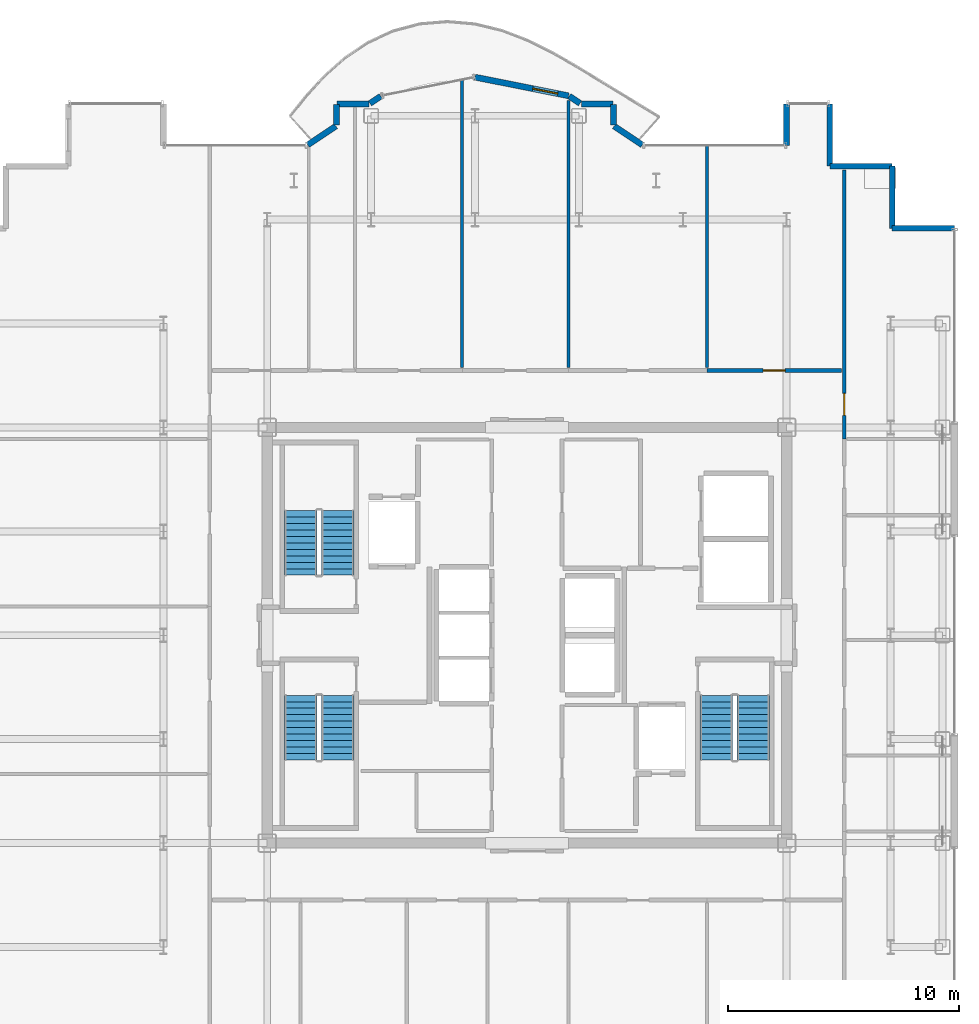
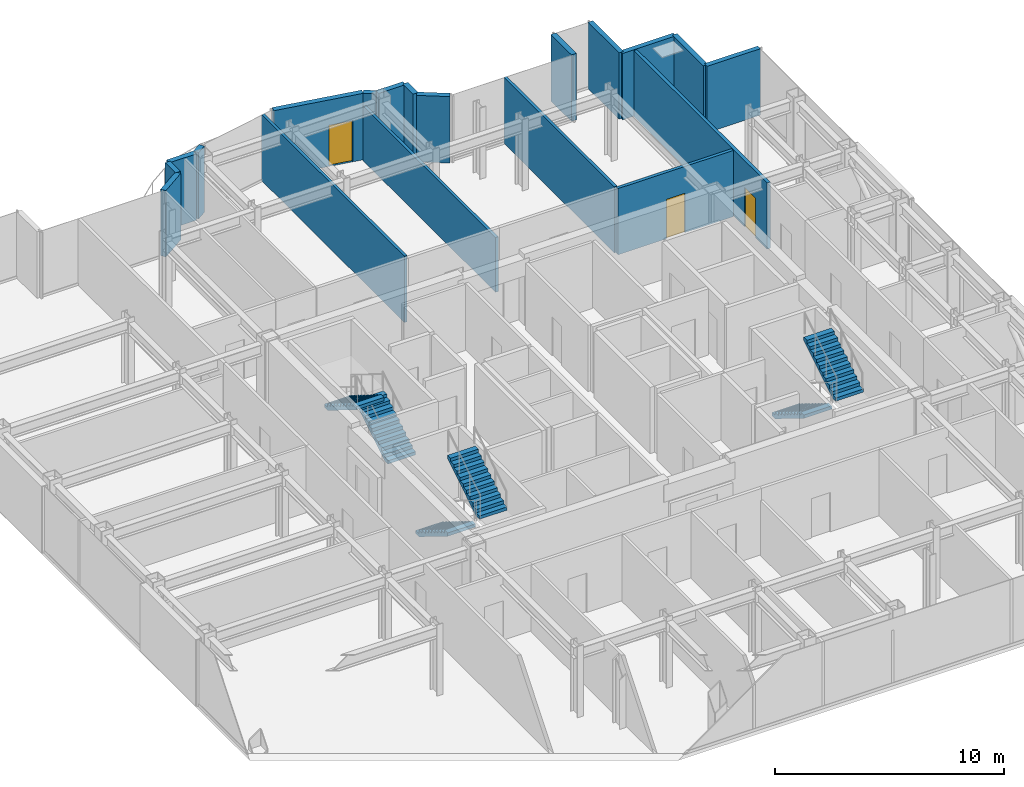
# One storey, part 15 of 16: 19 walls, 6 stair flights, 3 doors, 3 openings, 3 elements without a shape of their own.
"""IFC4 building model written with IfcOpenShell, lengths in metres."""

from ifc_helpers import new_model, si_unit, direction, frame, frame_2d, origin, place, context, subcontext, project, spatial, polyline, rectangle, outline, extrude, source, transform, mapped, material, layer, layer_set, type_object, element, fill, aggregate, save


model = new_model("IFC4")

# Units and contexts
model_context = context("Model", 3, precision=1e-05, world=origin(), true_north=direction((0.0, 1.0)))
body_context = subcontext(model_context, "Body", "Model", "MODEL_VIEW")
ifc_project = project(units=[si_unit("LENGTHUNIT", "METRE"), si_unit("AREAUNIT", "SQUARE_METRE"), si_unit("VOLUMEUNIT", "CUBIC_METRE"), si_unit("PLANEANGLEUNIT", "RADIAN"), si_unit("MASSUNIT", "GRAM", prefix="KILO")], contexts=[model_context])

# Site, building, storey
site_placement = place(None, origin())
site = spatial("IfcSite", under=ifc_project, at=site_placement, CompositionType="ELEMENT")
building_placement = place(site_placement, origin())
building = spatial("IfcBuilding", under=site, at=building_placement, Name="Nefas-Gora Pilgrimage Tower", CompositionType="ELEMENT")
storey_placement = place(building_placement, frame((0.0, 0.0, 287.39990234375)))
storey = spatial("IfcBuildingStorey", under=building, at=storey_placement, Name="L72", CompositionType="ELEMENT", Elevation=287.39990234375)

# Walls
ifc_material_1 = material(Name="Precast concrete C40/50", Category="concrete")
ifc_layer_1 = layer(ifc_material_1, 0.260009765625)
ifc_layer_set_1 = layer_set([ifc_layer_1], Name="Precast concrete C40/50")
wall_type_1 = type_object("IfcWallType", Name="EW-PORTAL-260", PredefinedType="SOLIDWALL", material=ifc_layer_set_1)
shared_shape_1 = source(origin(), body_context, "Body", "SweptSolid", [
    extrude(rectangle(XDim=1.800048828125, YDim=0.260009765625, at=frame_2d((0.89990234375, 0.0))), origin(), (0.0, 0.0, 1.0), 3.550048828125),
])
wall_1_placement = place(storey_placement, frame((11.25, 23.02001953125, 0.0), z_axis=(0.0, 0.0, 1.0), x_axis=(0.0, -1.0, 0.0)))
element("IfcWall", 1, at=wall_1_placement, inside=storey, type_object=wall_type_1, Name="L72 Lobe Shoulder Precast Spandrel Pier 10", PredefinedType="SOLIDWALL", context=body_context, shape_type="MappedRepresentation", body=[
    mapped(shared_shape_1, transform((0.0, 0.0, 0.0), x_axis=(1.0, 0.0, 0.0), y_axis=(0.0, 1.0, 0.0), z_axis=(0.0, 0.0, 1.0), scale=1.0)),
])
ifc_material_2 = material(Name="Precast concrete C45/55", Category="concrete")
ifc_layer_2 = layer(ifc_material_2, 0.239990234375)
ifc_layer_set_2 = layer_set([ifc_layer_2], Name="Precast concrete C45/55")
wall_type_2 = type_object("IfcWallType", Name="EW-SERR-240", PredefinedType="SHEAR", material=ifc_layer_set_2)
shared_shape_2 = source(origin(), body_context, "Body", "SweptSolid", [
    extrude(rectangle(XDim=2.699951171875, YDim=0.239990234375, at=frame_2d((1.35009765625, 0.0))), origin(), (0.0, 0.0, 1.0), 3.550048828125),
])
for number, where, z_axis, x_axis, name in (
    (2, (18.52001953125, 17.6201171875, 0.0), (0.0, 0.0, 1.0), (-1.0, 0.0, 0.0), "L72 Serrated Corner Shear Pier Wall 6"),
    (3, (15.820068359375, 17.6201171875, 0.0), (0.0, 0.0, 1.0), (0.0, 1.0, 0.0), "L72 Serrated Corner Shear Pier Wall 7"),
    (4, (15.820068359375, 20.320068359375, 0.0), (0.0, 0.0, 1.0), (-1.0, 0.0, 0.0), "L72 Serrated Corner Shear Pier Wall 8"),
    (5, (13.1201171875, 20.320068359375, 0.0), (0.0, 0.0, 1.0), (0.0, 1.0, 0.0), "L72 Serrated Corner Shear Pier Wall 9"),
):
    element("IfcWall", number, at=place(storey_placement, frame(where, z_axis=z_axis, x_axis=x_axis)), inside=storey, type_object=wall_type_2, Name=name, PredefinedType="SHEAR", context=body_context, shape_type="MappedRepresentation", body=[
        mapped(shared_shape_2, transform((0.0, 0.0, 0.0), x_axis=(1.0, 0.0, 0.0), y_axis=(0.0, 1.0, 0.0), z_axis=(0.0, 0.0, 1.0), scale=1.0)),
    ])
shared_shape_3 = source(origin(), body_context, "Body", "SweptSolid", [
    extrude(rectangle(XDim=1.468994140625, YDim=0.260009765625, at=frame_2d((0.734375, 0.0))), origin(), (0.0, 0.0, 1.0), 3.550048828125),
])
for number, where, z_axis, x_axis, name in (
    (6, (4.99462890625, 21.235595703125, 0.0), (0.0, 0.0, 1.0), (-0.831461760506, 0.555581983884, 0.0), "L72 Lobe Shoulder Precast Spandrel Pier 11"),
    (7, (-8.273193359375, 22.0517578125, 0.0), (0.0, 0.0, 1.0), (-0.831461760506, -0.555581983884, 0.0), "L72 Lobe Shoulder Precast Spandrel Pier 19"),
):
    element("IfcWall", number, at=place(storey_placement, frame(where, z_axis=z_axis, x_axis=x_axis)), inside=storey, type_object=wall_type_1, Name=name, PredefinedType="SOLIDWALL", context=body_context, shape_type="MappedRepresentation", body=[
        mapped(shared_shape_3, transform((0.0, 0.0, 0.0), x_axis=(1.0, 0.0, 0.0), y_axis=(0.0, 1.0, 0.0), z_axis=(0.0, 0.0, 1.0), scale=1.0)),
    ])
shared_shape_4 = source(origin(), body_context, "Body", "SweptSolid", [
    extrude(rectangle(XDim=0.896728515625, YDim=0.260009765625, at=frame_2d((0.4482421875, 0.0))), origin(), (0.0, 0.0, 1.0), 3.550048828125),
])
for number, where, z_axis, x_axis, name in (
    (8, (3.75, 22.09521484375, 0.0), (0.0, 0.0, 1.0), (0.0, 1.0, 0.0), "L72 Lobe Shoulder Precast Spandrel Pier 12"),
    (9, (-8.25, 22.991943359375, 0.0), (0.0, 0.0, 1.0), (0.0, -1.0, 0.0), "L72 Lobe Shoulder Precast Spandrel Pier 18"),
):
    element("IfcWall", number, at=place(storey_placement, frame(where, z_axis=z_axis, x_axis=x_axis)), inside=storey, type_object=wall_type_1, Name=name, PredefinedType="SOLIDWALL", context=body_context, shape_type="MappedRepresentation", body=[
        mapped(shared_shape_4, transform((0.0, 0.0, 0.0), x_axis=(1.0, 0.0, 0.0), y_axis=(0.0, 1.0, 0.0), z_axis=(0.0, 0.0, 1.0), scale=1.0)),
    ])
shared_shape_5 = source(origin(), body_context, "Body", "SweptSolid", [
    extrude(rectangle(XDim=1.369873046875, YDim=0.260009765625, at=frame_2d((0.68505859375, 0.0))), origin(), (0.0, 0.0, 1.0), 3.550048828125),
])
for number, where, z_axis, x_axis, name in (
    (10, (3.721923828125, 23.02001953125, 0.0), (0.0, 0.0, 1.0), (-1.0, 0.0, 0.0), "L72 Lobe Shoulder Precast Spandrel Pier 13"),
    (11, (-6.85205078125, 23.02001953125, 0.0), (0.0, 0.0, 1.0), (-1.0, 0.0, 0.0), "L72 Lobe Shoulder Precast Spandrel Pier 17"),
):
    element("IfcWall", number, at=place(storey_placement, frame(where, z_axis=z_axis, x_axis=x_axis)), inside=storey, type_object=wall_type_1, Name=name, PredefinedType="SOLIDWALL", context=body_context, shape_type="MappedRepresentation", body=[
        mapped(shared_shape_5, transform((0.0, 0.0, 0.0), x_axis=(1.0, 0.0, 0.0), y_axis=(0.0, 1.0, 0.0), z_axis=(0.0, 0.0, 1.0), scale=1.0)),
    ])
shared_shape_6 = source(origin(), body_context, "Body", "SweptSolid", [
    extrude(rectangle(XDim=0.5654296875, YDim=0.260009765625, at=frame_2d((0.28271484375, 0.0))), origin(), (0.0, 0.0, 1.0), 3.550048828125),
])
for number, where, z_axis, x_axis, name in (
    (12, (2.30078125, 23.03564453125, 0.0), (0.0, 0.0, 1.0), (-0.831651492666, 0.555297933317, 0.0), "L72 Lobe Shoulder Precast Spandrel Pier 14"),
    (13, (-6.33056640625, 23.349609375, 0.0), (0.0, 0.0, 1.0), (-0.831651492666, -0.555297933317, 0.0), "L72 Lobe Shoulder Precast Spandrel Pier 16"),
):
    element("IfcWall", number, at=place(storey_placement, frame(where, z_axis=z_axis, x_axis=x_axis)), inside=storey, type_object=wall_type_1, Name=name, PredefinedType="SOLIDWALL", context=body_context, shape_type="MappedRepresentation", body=[
        mapped(shared_shape_6, transform((0.0, 0.0, 0.0), x_axis=(1.0, 0.0, 0.0), y_axis=(0.0, 1.0, 0.0), z_axis=(0.0, 0.0, 1.0), scale=1.0)),
    ])

# Wall, opening, door
shared_shape_7 = source(origin(), body_context, "Body", "SweptSolid", [
    extrude(rectangle(XDim=4.136962890625, YDim=0.260009765625, at=frame_2d((2.068359375, 0.0))), origin(), (0.0, 0.0, 1.0), 3.550048828125),
])
wall_2_placement = place(storey_placement, frame((1.807373046875, 23.365234375, 0.0), z_axis=(0.0, 0.0, 1.0), x_axis=(-0.980782170794, 0.195105954428, 0.0)))
wall_2 = element("IfcWall", 14, at=wall_2_placement, inside=storey, type_object=wall_type_1, Name="L72 Insulated Terrace Portal Wall 15", PredefinedType="SOLIDWALL", context=body_context, shape_type="MappedRepresentation", body=[
    mapped(shared_shape_7, transform((0.0, 0.0, 0.0), x_axis=(1.0, 0.0, 0.0), y_axis=(0.0, 1.0, 0.0), z_axis=(0.0, 0.0, 1.0), scale=1.0)),
])
opening_1_placement = place(wall_2_placement, frame((0.48779296875, 0.0, 0.0)))
opening_1 = element("IfcOpeningElement", 15, at=opening_1_placement, cuts=wall_2, Name="Opening ED-B1", PredefinedType="OPENING", context=body_context, shape_type="SweptSolid", body=[
    extrude(rectangle(XDim=1.10009765625, YDim=2.199951171875, at=frame_2d((0.550048828125, 1.10009765625))), frame((0.0, 0.139892578125, 0.0), z_axis=(0.0, -1.0, 0.0), x_axis=(1.0, 0.0, 0.0)), (0.0, 0.0, 1.0), 0.280029296875),
])
ifc_material_3 = material(Name="Thermally broken glazed aluminium balcony door", Category="aluminium")
door_type_1 = type_object("IfcDoorType", Name="DR-EXT-BAL-1100", OperationType="NOTDEFINED", PredefinedType="DOOR", material=ifc_material_3)
shared_shape_8 = source(origin(), body_context, "Body", "SweptSolid", [
    extrude(rectangle(XDim=1.10009765625, YDim=2.199951171875, at=frame_2d((0.550048828125, 1.10009765625))), frame((0.0, 0.02490234375, 0.0), z_axis=(0.0, -1.0, 0.0), x_axis=(1.0, 0.0, 0.0)), (0.0, 0.0, 1.0), 0.050048828125),
])
door_1_placement = place(opening_1_placement, origin())
door_1 = element("IfcDoor", 16, at=door_1_placement, inside=storey, type_object=door_type_1, Name="L72 Exterior Door (L72 N Lobe Wave Balcony)", OperationType="SINGLE_SWING_LEFT", OverallHeight=2.199951171875, OverallWidth=1.10009765625, PredefinedType="DOOR", context=body_context, shape_type="MappedRepresentation", body=[
    mapped(shared_shape_8, transform((0.0, 0.0, 0.0), x_axis=(1.0, 0.0, 0.0), y_axis=(0.0, 1.0, 0.0), z_axis=(0.0, 0.0, 1.0), scale=1.0)),
])
fill(opening_1, door_1)

# Walls
ifc_material_4 = material(Name="Gypsum twin-stud partition")
ifc_layer_3 = layer(ifc_material_4, 0.139892578125)
ifc_layer_set_3 = layer_set([ifc_layer_3], Name="Gypsum twin-stud partition")
wall_type_3 = type_object("IfcWallType", Name="IW-UNIT-140", PredefinedType="PARTITIONING", material=ifc_layer_set_3)
shared_shape_9 = source(origin(), body_context, "Body", "SweptSolid", [
    extrude(rectangle(XDim=9.64990234375, YDim=0.139892578125, at=frame_2d((4.824951171875, 0.0))), origin(), (0.0, 0.0, 1.0), 3.53515625),
])
wall_3_placement = place(storey_placement, frame((7.794921875, 11.590087890625, 0.0), z_axis=(0.0, 0.0, 1.0), x_axis=(0.0, 1.0, 0.0)))
element("IfcWall", 17, at=wall_3_placement, inside=storey, type_object=wall_type_3, Name="L72 Pilgrim Contemplative Lounge Partition Wall 57", PredefinedType="PARTITIONING", context=body_context, shape_type="MappedRepresentation", body=[
    mapped(shared_shape_9, transform((0.0, 0.0, 0.0), x_axis=(1.0, 0.0, 0.0), y_axis=(0.0, 1.0, 0.0), z_axis=(0.0, 0.0, 1.0), scale=1.0)),
])
shared_shape_10 = source(origin(), body_context, "Body", "SweptSolid", [
    extrude(rectangle(XDim=12.4951171875, YDim=0.139892578125, at=frame_2d((6.24755859375, 0.0))), origin(), (0.0, 0.0, 1.0), 3.53515625),
])
wall_4_placement = place(storey_placement, frame((-2.81005859375, 11.590087890625, 0.0), z_axis=(0.0, 0.0, 1.0), x_axis=(0.0, 1.0, 0.0)))
element("IfcWall", 18, at=wall_4_placement, inside=storey, type_object=wall_type_3, Name="L72 Pilgrim Contemplative Lounge Partition Wall 53", PredefinedType="PARTITIONING", context=body_context, shape_type="MappedRepresentation", body=[
    mapped(shared_shape_10, transform((0.0, 0.0, 0.0), x_axis=(1.0, 0.0, 0.0), y_axis=(0.0, 1.0, 0.0), z_axis=(0.0, 0.0, 1.0), scale=1.0)),
])

# Wall, opening, door
ifc_material_5 = material(Name="Gypsum acoustic stud partition")
ifc_layer_4 = layer(ifc_material_5, 0.159912109375)
ifc_layer_set_4 = layer_set([ifc_layer_4], Name="Gypsum acoustic stud partition")
wall_type_4 = type_object("IfcWallType", Name="IW-CORR-160", PredefinedType="PARTITIONING", material=ifc_layer_set_4)
shared_shape_11 = source(origin(), body_context, "Body", "SweptSolid", [
    extrude(rectangle(XDim=5.8251953125, YDim=0.159912109375, at=frame_2d((2.91259765625, 0.0))), origin(), (0.0, 0.0, 1.0), 3.53515625),
])
wall_5_placement = place(storey_placement, frame((7.794921875, 11.469970703125, 0.0), z_axis=(0.0, 0.0, 1.0), x_axis=(1.0, 0.0, 0.0)))
wall_5 = element("IfcWall", 19, at=wall_5_placement, inside=storey, type_object=wall_type_4, Name="L72 Pilgrim Contemplative Lounge Partition Wall 58", PredefinedType="PARTITIONING", context=body_context, shape_type="MappedRepresentation", body=[
    mapped(shared_shape_11, transform((0.0, 0.0, 0.0), x_axis=(1.0, 0.0, 0.0), y_axis=(0.0, 1.0, 0.0), z_axis=(0.0, 0.0, 1.0), scale=1.0)),
])
opening_2_placement = place(wall_5_placement, frame((2.4375, 0.0, 0.0)))
opening_2 = element("IfcOpeningElement", 20, at=opening_2_placement, cuts=wall_5, Name="Opening ID-GR1", PredefinedType="OPENING", context=body_context, shape_type="SweptSolid", body=[
    extrude(rectangle(XDim=0.949951171875, YDim=2.10009765625, at=frame_2d((0.47509765625, 1.050048828125))), frame((0.0, 0.08984375, 0.0), z_axis=(0.0, -1.0, 0.0), x_axis=(1.0, 0.0, 0.0)), (0.0, 0.0, 1.0), 0.179931640625),
])
ifc_material_6 = material(Name="Solid core oak fire-rated guest entrance door")
door_type_2 = type_object("IfcDoorType", Name="DR-INT-GUEST-950", OperationType="NOTDEFINED", PredefinedType="DOOR", material=ifc_material_6)
shared_shape_12 = source(origin(), body_context, "Body", "SweptSolid", [
    extrude(rectangle(XDim=0.949951171875, YDim=2.10009765625, at=frame_2d((0.47509765625, 1.050048828125))), frame((0.0, 0.02490234375, 0.0), z_axis=(0.0, -1.0, 0.0), x_axis=(1.0, 0.0, 0.0)), (0.0, 0.0, 1.0), 0.050048828125),
])
door_2_placement = place(opening_2_placement, origin())
door_2 = element("IfcDoor", 21, at=door_2_placement, inside=storey, type_object=door_type_2, Name="L72 Pilgrim Contemplative Lounge Door 28", OperationType="SINGLE_SWING_RIGHT", OverallHeight=2.10009765625, OverallWidth=0.949951171875, PredefinedType="DOOR", context=body_context, shape_type="MappedRepresentation", body=[
    mapped(shared_shape_12, transform((0.0, 0.0, 0.0), x_axis=(1.0, 0.0, 0.0), y_axis=(0.0, 1.0, 0.0), z_axis=(0.0, 0.0, 1.0), scale=1.0)),
])
fill(opening_2, door_2)

shared_shape_13 = source(origin(), body_context, "Body", "SweptSolid", [
    extrude(rectangle(XDim=11.664794921875, YDim=0.159912109375, at=frame_2d((5.83251953125, 0.0))), origin(), (0.0, 0.0, 1.0), 3.53515625),
])
wall_6_placement = place(storey_placement, frame((13.739990234375, 8.4951171875, 0.0), z_axis=(0.0, 0.0, 1.0), x_axis=(0.0, 1.0, 0.0)))
wall_6 = element("IfcWall", 22, at=wall_6_placement, inside=storey, type_object=wall_type_4, Name="L72 Pilgrim Contemplative Lounge Partition Wall 50", PredefinedType="PARTITIONING", context=body_context, shape_type="MappedRepresentation", body=[
    mapped(shared_shape_13, transform((0.0, 0.0, 0.0), x_axis=(1.0, 0.0, 0.0), y_axis=(0.0, 1.0, 0.0), z_axis=(0.0, 0.0, 1.0), scale=1.0)),
])
opening_3_placement = place(wall_6_placement, frame((1.032470703125, 0.0, 0.0)))
opening_3 = element("IfcOpeningElement", 23, at=opening_3_placement, cuts=wall_6, Name="Opening ID-GR1", PredefinedType="OPENING", context=body_context, shape_type="SweptSolid", body=[
    extrude(rectangle(XDim=0.949951171875, YDim=2.10009765625, at=frame_2d((0.47509765625, 1.050048828125))), frame((0.0, 0.08984375, 0.0), z_axis=(0.0, -1.0, 0.0), x_axis=(1.0, 0.0, 0.0)), (0.0, 0.0, 1.0), 0.179931640625),
])
door_3_placement = place(opening_3_placement, origin())
door_3 = element("IfcDoor", 24, at=door_3_placement, inside=storey, type_object=door_type_2, Name="L72 Pilgrim Contemplative Lounge Door 23", OperationType="SINGLE_SWING_LEFT", OverallHeight=2.10009765625, OverallWidth=0.949951171875, PredefinedType="DOOR", context=body_context, shape_type="MappedRepresentation", body=[
    mapped(shared_shape_12, transform((0.0, 0.0, 0.0), x_axis=(1.0, 0.0, 0.0), y_axis=(0.0, 1.0, 0.0), z_axis=(0.0, 0.0, 1.0), scale=1.0)),
])
fill(opening_3, door_3)

# Wall
shared_shape_14 = source(origin(), body_context, "Body", "SweptSolid", [
    extrude(rectangle(XDim=11.581298828125, YDim=0.139892578125, at=frame_2d((5.79052734375, 0.0))), origin(), (0.0, 0.0, 1.0), 2.925048828125),
])
wall_7_placement = place(storey_placement, frame((1.794921875, 11.590087890625, 0.0), z_axis=(0.0, 0.0, 1.0), x_axis=(0.0, 1.0, 0.0)))
element("IfcWall", 25, at=wall_7_placement, inside=storey, type_object=wall_type_3, Name="L72 Pilgrim Contemplative Lounge Partition Wall 55", PredefinedType="PARTITIONING", context=body_context, shape_type="MappedRepresentation", body=[
    mapped(shared_shape_14, transform((0.0, 0.0, 0.0), x_axis=(1.0, 0.0, 0.0), y_axis=(0.0, 1.0, 0.0), z_axis=(0.0, 0.0, 1.0), scale=1.0)),
])

# Stair, stair flights
ifc_material_7 = material(Name="Concrete C45/55", Category="concrete")
stair_type = type_object("IfcStairType", Name="STR-1400-R1727", PredefinedType="HALF_TURN_STAIR", material=ifc_material_7)
stair_1_placement = place(storey_placement, origin())
stair_1 = element("IfcStair", 26, at=stair_1_placement, inside=storey, type_object=stair_type, Name="L72 Pressurised Tower Exit Stair ST-01", PredefinedType="HALF_TURN_STAIR")
stair_flight_type = type_object("IfcStairFlightType", Name="STF-1400-R1727", PredefinedType="STRAIGHT", material=ifc_material_7)
shared_shape_15 = source(origin(), body_context, "Body", "SweptSolid", [
    extrude(outline(polyline([(0.0, 0.0), (0.0, 0.172607421875), (0.280029296875, 0.172607421875), (0.280029296875, 0.345458984375), (0.56005859375, 0.345458984375), (0.56005859375, 0.51806640625), (0.840087890625, 0.51806640625), (0.840087890625, 0.69091796875), (1.1201171875, 0.69091796875), (1.1201171875, 0.863525390625), (1.39990234375, 0.863525390625), (1.39990234375, 1.036376953125), (1.679931640625, 1.036376953125), (1.679931640625, 1.208984375), (1.9599609375, 1.208984375), (1.9599609375, 1.3818359375), (2.239990234375, 1.3818359375), (2.239990234375, 1.554443359375), (2.52001953125, 1.554443359375), (2.52001953125, 1.727294921875), (2.800048828125, 1.727294921875), (2.800048828125, 1.89990234375), (2.800048828125, 1.551025390625), (0.285400390625, 0.0), (0.0, 0.0)])), frame((0.0, 0.699951171875, 0.0), z_axis=(0.0, -1.0, 0.0), x_axis=(1.0, 0.0, 0.0)), (0.0, 0.0, 1.0), 1.39990234375),
])
stair_flight_1_placement = place(storey_placement, frame((-8.199951171875, 2.60009765625, 0.0), z_axis=(0.0, 0.0, 1.0), x_axis=(0.0, 1.0, 0.0)))
stair_flight_1 = element("IfcStairFlight", 27, at=stair_flight_1_placement, type_object=stair_flight_type, Name="ST-01 flight 1", NumberOfRisers=11, NumberOfTreads=10, PredefinedType="STRAIGHT", RiserHeight=0.172727273, TreadLength=0.28, context=body_context, shape_type="MappedRepresentation", body=[
    mapped(shared_shape_15, transform((0.0, 0.0, 0.0), x_axis=(1.0, 0.0, 0.0), y_axis=(0.0, 1.0, 0.0), z_axis=(0.0, 0.0, 1.0), scale=1.0)),
])
stair_flight_2_placement = place(storey_placement, frame((-9.800048828125, 5.39990234375, 1.900146484375), z_axis=(0.0, 0.0, 1.0), x_axis=(0.0, -1.0, 0.0)))
stair_flight_2 = element("IfcStairFlight", 28, at=stair_flight_2_placement, type_object=stair_flight_type, Name="ST-01 flight 2", NumberOfRisers=11, NumberOfTreads=10, PredefinedType="STRAIGHT", RiserHeight=0.172727273, TreadLength=0.28, context=body_context, shape_type="MappedRepresentation", body=[
    mapped(shared_shape_15, transform((0.0, 0.0, 0.0), x_axis=(1.0, 0.0, 0.0), y_axis=(0.0, 1.0, 0.0), z_axis=(0.0, 0.0, 1.0), scale=1.0)),
])
aggregate(stair_1, [stair_flight_1, stair_flight_2])

stair_2_placement = place(storey_placement, origin())
stair_2 = element("IfcStair", 29, at=stair_2_placement, inside=storey, type_object=stair_type, Name="L72 Pressurised Tower Exit Stair ST-02", PredefinedType="HALF_TURN_STAIR")
stair_flight_3_placement = place(storey_placement, frame((8.199951171875, -2.60009765625, 0.0), z_axis=(0.0, 0.0, 1.0), x_axis=(0.0, -1.0, 0.0)))
stair_flight_3 = element("IfcStairFlight", 30, at=stair_flight_3_placement, type_object=stair_flight_type, Name="ST-02 flight 1", NumberOfRisers=11, NumberOfTreads=10, PredefinedType="STRAIGHT", RiserHeight=0.172727273, TreadLength=0.28, context=body_context, shape_type="MappedRepresentation", body=[
    mapped(shared_shape_15, transform((0.0, 0.0, 0.0), x_axis=(1.0, 0.0, 0.0), y_axis=(0.0, 1.0, 0.0), z_axis=(0.0, 0.0, 1.0), scale=1.0)),
])
stair_flight_4_placement = place(storey_placement, frame((9.800048828125, -5.39990234375, 1.900146484375), z_axis=(0.0, 0.0, 1.0), x_axis=(0.0, 1.0, 0.0)))
stair_flight_4 = element("IfcStairFlight", 31, at=stair_flight_4_placement, type_object=stair_flight_type, Name="ST-02 flight 2", NumberOfRisers=11, NumberOfTreads=10, PredefinedType="STRAIGHT", RiserHeight=0.172727273, TreadLength=0.28, context=body_context, shape_type="MappedRepresentation", body=[
    mapped(shared_shape_15, transform((0.0, 0.0, 0.0), x_axis=(1.0, 0.0, 0.0), y_axis=(0.0, 1.0, 0.0), z_axis=(0.0, 0.0, 1.0), scale=1.0)),
])
aggregate(stair_2, [stair_flight_3, stair_flight_4])

stair_3_placement = place(storey_placement, origin())
stair_3 = element("IfcStair", 32, at=stair_3_placement, inside=storey, type_object=stair_type, Name="L72 Pressurised Tower Exit Stair ST-03", PredefinedType="HALF_TURN_STAIR")
stair_flight_5_placement = place(storey_placement, frame((-9.800048828125, -2.60009765625, 0.0), z_axis=(0.0, 0.0, 1.0), x_axis=(0.0, -1.0, 0.0)))
stair_flight_5 = element("IfcStairFlight", 33, at=stair_flight_5_placement, type_object=stair_flight_type, Name="ST-03 flight 1", NumberOfRisers=11, NumberOfTreads=10, PredefinedType="STRAIGHT", RiserHeight=0.172727273, TreadLength=0.28, context=body_context, shape_type="MappedRepresentation", body=[
    mapped(shared_shape_15, transform((0.0, 0.0, 0.0), x_axis=(1.0, 0.0, 0.0), y_axis=(0.0, 1.0, 0.0), z_axis=(0.0, 0.0, 1.0), scale=1.0)),
])
stair_flight_6_placement = place(storey_placement, frame((-8.199951171875, -5.39990234375, 1.900146484375), z_axis=(0.0, 0.0, 1.0), x_axis=(0.0, 1.0, 0.0)))
stair_flight_6 = element("IfcStairFlight", 34, at=stair_flight_6_placement, type_object=stair_flight_type, Name="ST-03 flight 2", NumberOfRisers=11, NumberOfTreads=10, PredefinedType="STRAIGHT", RiserHeight=0.172727273, TreadLength=0.28, context=body_context, shape_type="MappedRepresentation", body=[
    mapped(shared_shape_15, transform((0.0, 0.0, 0.0), x_axis=(1.0, 0.0, 0.0), y_axis=(0.0, 1.0, 0.0), z_axis=(0.0, 0.0, 1.0), scale=1.0)),
])
aggregate(stair_3, [stair_flight_5, stair_flight_6])

save(model, "model.ifc")
